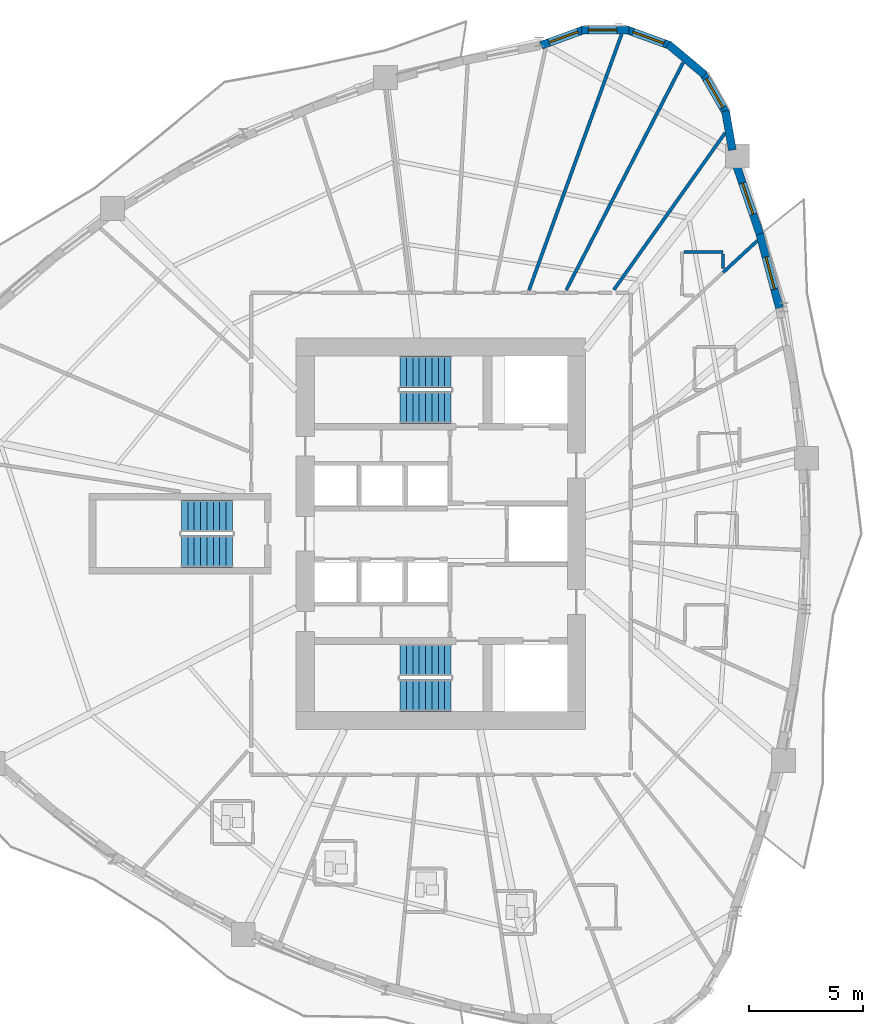
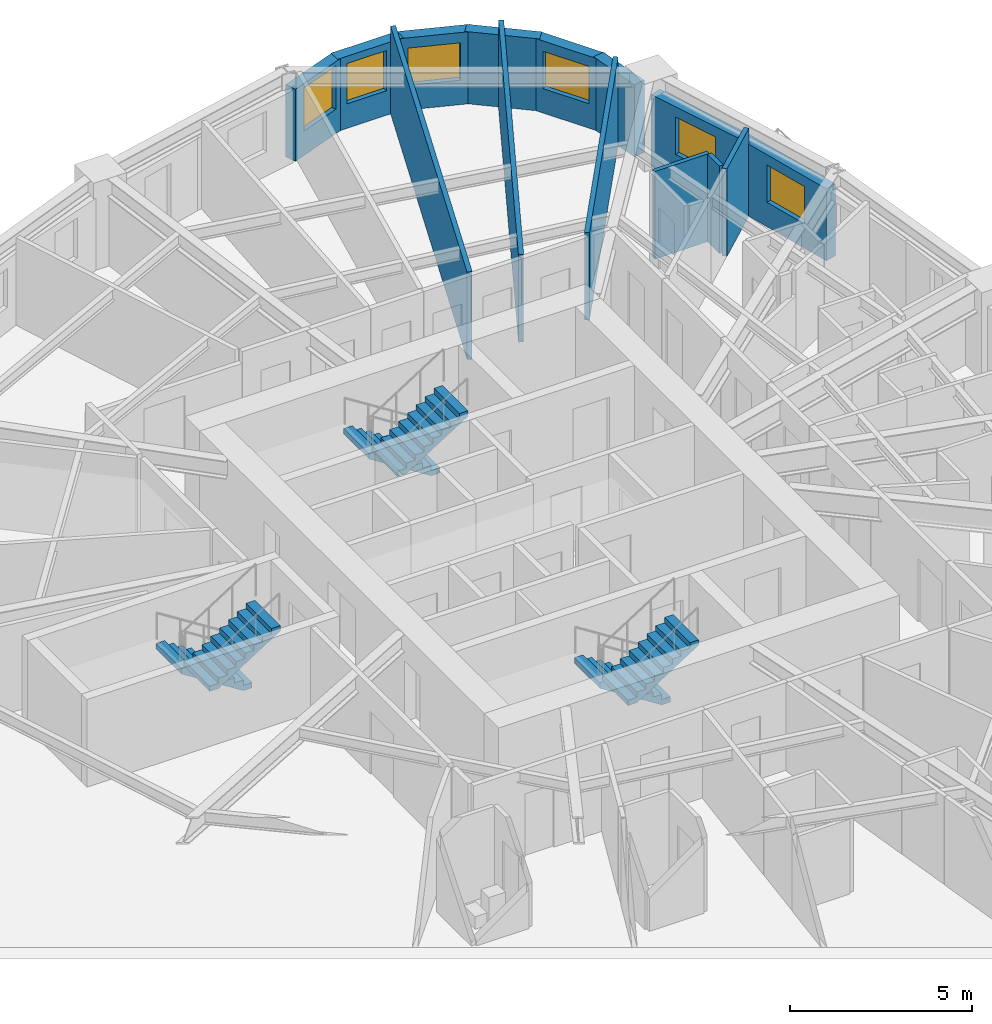
# One storey, part 9 of 14: 14 walls, 6 stair flights, 6 windows, 6 openings, 3 elements without a shape of their own.
"""IFC4 building model written with IfcOpenShell, lengths in metres."""

from ifc_helpers import new_model, si_unit, direction, frame, frame_2d, origin, place, context, subcontext, project, spatial, polyline, rectangle, outline, extrude, source, transform, mapped, material, layer, layer_set, type_object, element, fill, aggregate, save


model = new_model("IFC4")

# Units and contexts
model_context = context("Model", 3, precision=1e-05, world=origin(), true_north=direction((0.0, 1.0)))
body_context = subcontext(model_context, "Body", "Model", "MODEL_VIEW")
ifc_project = project(units=[si_unit("LENGTHUNIT", "METRE"), si_unit("AREAUNIT", "SQUARE_METRE"), si_unit("VOLUMEUNIT", "CUBIC_METRE"), si_unit("PLANEANGLEUNIT", "RADIAN"), si_unit("MASSUNIT", "GRAM", prefix="KILO")], contexts=[model_context])

# Site, building, storey
site_placement = place(None, origin())
site = spatial("IfcSite", under=ifc_project, at=site_placement, CompositionType="ELEMENT")
building_placement = place(site_placement, origin())
building = spatial("IfcBuilding", under=site, at=building_placement, Name="Qafzar Sky-Pleat Residences", CompositionType="ELEMENT")
storey_placement = place(building_placement, frame((0.0, 0.0, 23.800048828125)))
storey = spatial("IfcBuildingStorey", under=building, at=storey_placement, Name="L06", CompositionType="ELEMENT", Elevation=23.800048828125)

# Walls
ifc_material_1 = material(Name="Acoustic gypsum plasterboard partition", Category="gypsum")
ifc_layer_1 = layer(ifc_material_1, 0.14501953125)
ifc_layer_set_1 = layer_set([ifc_layer_1], Name="Acoustic gypsum plasterboard partition")
wall_type_1 = type_object("IfcWallType", Name="PART-UNIT-145", PredefinedType="PARTITIONING", material=ifc_layer_set_1)
wall_1_placement = place(storey_placement, frame((34.218505859375, 36.692138671875, 0.0), z_axis=(0.0, 0.0, 1.0), x_axis=(0.340186046968, 0.940358151689, 0.0)))
element("IfcWall", 1, at=wall_1_placement, inside=storey, type_object=wall_type_1, Name="L06 Partition Wall PART-L06-PW-036", PredefinedType="PARTITIONING", context=body_context, shape_type="SweptSolid", body=[
    extrude(rectangle(XDim=11.951416015625, YDim=0.14501953125, at=frame_2d((5.9755859375, 0.0))), origin(), (0.0, 0.0, 1.0), 2.93505859375),
])
wall_2_placement = place(storey_placement, frame((35.851806640625, 36.7001953125, 0.0), z_axis=(0.0, 0.0, 1.0), x_axis=(0.457258091214, 0.889334041865, 0.0)))
element("IfcWall", 2, at=wall_2_placement, inside=storey, type_object=wall_type_1, Name="L06 Partition Wall PART-L06-PW-037", PredefinedType="PARTITIONING", context=body_context, shape_type="SweptSolid", body=[
    extrude(rectangle(XDim=11.226806640625, YDim=0.14501953125, at=frame_2d((5.61328125, 0.0))), origin(), (0.0, 0.0, 1.0), 2.93505859375),
])
wall_3_placement = place(storey_placement, frame((37.943115234375, 36.70849609375, 0.0), z_axis=(0.0, 0.0, 1.0), x_axis=(0.578429476704, 0.81573239514, 0.0)))
element("IfcWall", 3, at=wall_3_placement, inside=storey, type_object=wall_type_1, Name="L06 Partition Wall PART-L06-PW-043", PredefinedType="PARTITIONING", context=body_context, shape_type="SweptSolid", body=[
    extrude(rectangle(XDim=8.446533203125, YDim=0.14501953125, at=frame_2d((4.22314453125, 0.0))), origin(), (0.0, 0.0, 1.0), 2.93505859375),
])
wall_4_placement = place(storey_placement, frame((42.742919921875, 37.47705078125, 0.0), z_axis=(0.0, 0.0, 1.0), x_axis=(0.73374741774, 0.679422347999, 0.0)))
element("IfcWall", 4, at=wall_4_placement, inside=storey, type_object=wall_type_1, Name="L06 Partition Wall PART-L06-PW-066", PredefinedType="PARTITIONING", context=body_context, shape_type="SweptSolid", body=[
    extrude(rectangle(XDim=2.040283203125, YDim=0.14501953125, at=frame_2d((1.02001953125, 0.0))), origin(), (0.0, 0.0, 1.0), 2.93505859375),
])
ifc_material_2 = material(Name="Moisture-resistant gypsum partition", Category="gypsum")
ifc_layer_2 = layer(ifc_material_2, 0.1298828125)
ifc_layer_set_2 = layer_set([ifc_layer_2], Name="Moisture-resistant gypsum partition")
wall_type_2 = type_object("IfcWallType", Name="PART-WET-130", PredefinedType="PARTITIONING", material=ifc_layer_set_2)
wall_5_placement = place(storey_placement, frame((41.01611328125, 38.367919921875, 0.0), z_axis=(0.0, 0.0, 1.0), x_axis=(1.0, 0.0, 0.0)))
element("IfcWall", 5, at=wall_5_placement, inside=storey, type_object=wall_type_2, Name="L06 Partition Wall PART-L06-PW-072", PredefinedType="PARTITIONING", context=body_context, shape_type="SweptSolid", body=[
    extrude(rectangle(XDim=1.726806640625, YDim=0.1298828125, at=frame_2d((0.86328125, 0.0))), origin(), (0.0, 0.0, 1.0), 2.93505859375),
])
wall_6_placement = place(storey_placement, frame((42.742919921875, 37.64404296875, 0.0), z_axis=(0.0, 0.0, 1.0), x_axis=(0.0, 1.0, 0.0)))
element("IfcWall", 6, at=wall_6_placement, inside=storey, type_object=wall_type_2, Name="L06 Partition Wall PART-L06-PW-097", PredefinedType="PARTITIONING", context=body_context, shape_type="SweptSolid", body=[
    extrude(rectangle(XDim=0.65087890625, YDim=0.1298828125, at=frame_2d((0.325439453125, 0.0))), origin(), (0.0, 0.0, 1.0), 2.93505859375),
])

# Wall, opening, window
ifc_material_3 = material(Name="Precast concrete C40/50 with honed Riyadh limestone", Category="concrete")
ifc_layer_3 = layer(ifc_material_3, 0.35009765625)
ifc_layer_set_3 = layer_set([ifc_layer_3], Name="Precast concrete C40/50 with honed Riyadh limestone")
wall_type_3 = type_object("IfcWallType", Name="WALL-EXT-350", PredefinedType="SOLIDWALL", material=ifc_layer_set_3)
wall_7_placement = place(storey_placement, frame((45.21435546875, 35.92236328125, 0.0), z_axis=(0.0, 0.0, 1.0), x_axis=(-0.257081073508, 0.966389839373, 0.0)))
wall_7 = element("IfcWall", 7, at=wall_7_placement, inside=storey, type_object=wall_type_3, Name="L06 Limestone Facade Wall 31", PredefinedType="SOLIDWALL", context=body_context, shape_type="SweptSolid", body=[
    extrude(rectangle(XDim=3.44921875, YDim=0.35009765625, at=frame_2d((1.724609375, 0.0))), origin(), (0.0, 0.0, 1.0), 2.4150390625),
])
opening_1_placement = place(wall_7_placement, frame((0.856689453125, 0.0, 0.820068359375)))
opening_1 = element("IfcOpeningElement", 8, at=opening_1_placement, cuts=wall_7, Name="Opening WN-15", PredefinedType="OPENING", context=body_context, shape_type="SweptSolid", body=[
    extrude(rectangle(XDim=1.449951171875, YDim=1.25, at=frame_2d((0.72509765625, 0.625))), frame((0.0, 0.18505859375, 0.0), z_axis=(0.0, -1.0, 0.0), x_axis=(1.0, 0.0, 0.0)), (0.0, 0.0, 1.0), 0.3701171875),
])
ifc_material_4 = material(Name="Solar-control low-E glass in bronze aluminium frame", Category="glass")
window_type_1 = type_object("IfcWindowType", Name="WIN-15", PartitioningType="SINGLE_PANEL", PredefinedType="WINDOW", material=ifc_material_4)
shared_shape_1 = source(origin(), body_context, "Body", "SweptSolid", [
    extrude(rectangle(XDim=1.449951171875, YDim=1.25, at=frame_2d((0.72509765625, 0.625))), frame((0.0, 0.030029296875, 0.0), z_axis=(0.0, -1.0, 0.0), x_axis=(1.0, 0.0, 0.0)), (0.0, 0.0, 1.0), 0.06005859375),
])
window_1_placement = place(opening_1_placement, origin())
window_1 = element("IfcWindow", 9, at=window_1_placement, inside=storey, type_object=window_type_1, Name="L06 Punched Facade Window 31", OverallHeight=1.25, OverallWidth=1.449951171875, PartitioningType="SINGLE_PANEL", PredefinedType="WINDOW", context=body_context, shape_type="MappedRepresentation", body=[
    mapped(shared_shape_1, transform((0.0, 0.0, 0.0), x_axis=(1.0, 0.0, 0.0), y_axis=(0.0, 1.0, 0.0), z_axis=(0.0, 0.0, 1.0), scale=1.0)),
])
fill(opening_1, window_1)

wall_8_placement = place(storey_placement, frame((44.353271484375, 39.17138671875, 0.0), z_axis=(0.0, 0.0, 1.0), x_axis=(-0.323604310653, 0.946192501623, 0.0)))
wall_8 = element("IfcWall", 10, at=wall_8_placement, inside=storey, type_object=wall_type_3, Name="L06 Limestone Facade Wall 32", PredefinedType="SOLIDWALL", context=body_context, shape_type="SweptSolid", body=[
    extrude(rectangle(XDim=3.24267578125, YDim=0.35009765625, at=frame_2d((1.621337890625, 0.0))), origin(), (0.0, 0.0, 1.0), 2.4150390625),
])
opening_2_placement = place(wall_8_placement, frame((0.9013671875, 0.0, 0.820068359375)))
opening_2 = element("IfcOpeningElement", 11, at=opening_2_placement, cuts=wall_8, Name="Opening WN-15", PredefinedType="OPENING", context=body_context, shape_type="SweptSolid", body=[
    extrude(rectangle(XDim=1.449951171875, YDim=1.25, at=frame_2d((0.72509765625, 0.625))), frame((0.0, 0.18505859375, 0.0), z_axis=(0.0, -1.0, 0.0), x_axis=(1.0, 0.0, 0.0)), (0.0, 0.0, 1.0), 0.3701171875),
])
window_2_placement = place(opening_2_placement, origin())
window_2 = element("IfcWindow", 12, at=window_2_placement, inside=storey, type_object=window_type_1, Name="L06 Punched Facade Window 32", OverallHeight=1.25, OverallWidth=1.449951171875, PartitioningType="SINGLE_PANEL", PredefinedType="WINDOW", context=body_context, shape_type="MappedRepresentation", body=[
    mapped(shared_shape_1, transform((0.0, 0.0, 0.0), x_axis=(1.0, 0.0, 0.0), y_axis=(0.0, 1.0, 0.0), z_axis=(0.0, 0.0, 1.0), scale=1.0)),
])
fill(opening_2, window_2)

# Wall
wall_9_placement = place(storey_placement, frame((43.148193359375, 42.84521484375, 0.0), z_axis=(0.0, 0.0, 1.0), x_axis=(-0.173745591742, 0.984790571315, 0.0)))
element("IfcWall", 13, at=wall_9_placement, inside=storey, type_object=wall_type_3, Name="L06 Limestone Facade Wall 33", PredefinedType="SOLIDWALL", context=body_context, shape_type="SweptSolid", body=[
    extrude(rectangle(XDim=1.752197265625, YDim=0.35009765625, at=frame_2d((0.8759765625, 0.0))), origin(), (0.0, 0.0, 1.0), 2.4150390625),
])

# Wall, opening, window
wall_10_placement = place(storey_placement, frame((42.89013671875, 44.443359375, 0.0), z_axis=(0.0, 0.0, 1.0), x_axis=(-0.499995423472, 0.866028046028, 0.0)))
wall_10 = element("IfcWall", 14, at=wall_10_placement, inside=storey, type_object=wall_type_3, Name="L06 Limestone Facade Wall 34", PredefinedType="SOLIDWALL", context=body_context, shape_type="SweptSolid", body=[
    extrude(rectangle(XDim=2.09033203125, YDim=0.35009765625, at=frame_2d((1.045166015625, 0.0))), origin(), (0.0, 0.0, 1.0), 2.4150390625),
])
opening_3_placement = place(wall_10_placement, frame((0.320068359375, 0.0, 0.820068359375)))
opening_3 = element("IfcOpeningElement", 15, at=opening_3_placement, cuts=wall_10, Name="Opening WN-15", PredefinedType="OPENING", context=body_context, shape_type="SweptSolid", body=[
    extrude(rectangle(XDim=1.449951171875, YDim=1.25, at=frame_2d((0.72509765625, 0.625))), frame((0.0, 0.18505859375, 0.0), z_axis=(0.0, -1.0, 0.0), x_axis=(1.0, 0.0, 0.0)), (0.0, 0.0, 1.0), 0.3701171875),
])
window_3_placement = place(opening_3_placement, origin())
window_3 = element("IfcWindow", 16, at=window_3_placement, inside=storey, type_object=window_type_1, Name="L06 Punched Facade Window 34", OverallHeight=1.25, OverallWidth=1.449951171875, PartitioningType="SINGLE_PANEL", PredefinedType="WINDOW", context=body_context, shape_type="MappedRepresentation", body=[
    mapped(shared_shape_1, transform((0.0, 0.0, 0.0), x_axis=(1.0, 0.0, 0.0), y_axis=(0.0, 1.0, 0.0), z_axis=(0.0, 0.0, 1.0), scale=1.0)),
])
fill(opening_3, window_3)

# Wall
wall_11_placement = place(storey_placement, frame((41.93212890625, 46.149658203125, 0.0), z_axis=(0.0, 0.0, 1.0), x_axis=(-0.766024572719, 0.642811289563, 0.0)))
element("IfcWall", 17, at=wall_11_placement, inside=storey, type_object=wall_type_3, Name="L06 Limestone Facade Wall 35", PredefinedType="SOLIDWALL", context=body_context, shape_type="SweptSolid", body=[
    extrude(rectangle(XDim=2.09033203125, YDim=0.35009765625, at=frame_2d((1.045166015625, 0.0))), origin(), (0.0, 0.0, 1.0), 2.4150390625),
])

# Wall, opening, window
wall_12_placement = place(storey_placement, frame((40.448486328125, 47.425537109375, 0.0), z_axis=(0.0, 0.0, 1.0), x_axis=(-0.939711556618, 0.341968113072, 0.0)))
wall_12 = element("IfcWall", 18, at=wall_12_placement, inside=storey, type_object=wall_type_3, Name="L06 Limestone Facade Wall 36", PredefinedType="SOLIDWALL", context=body_context, shape_type="SweptSolid", body=[
    extrude(rectangle(XDim=2.09033203125, YDim=0.35009765625, at=frame_2d((1.045166015625, 0.0))), origin(), (0.0, 0.0, 1.0), 2.4150390625),
])
opening_4_placement = place(wall_12_placement, frame((0.320068359375, 0.0, 0.820068359375)))
opening_4 = element("IfcOpeningElement", 19, at=opening_4_placement, cuts=wall_12, Name="Opening WN-15", PredefinedType="OPENING", context=body_context, shape_type="SweptSolid", body=[
    extrude(rectangle(XDim=1.449951171875, YDim=1.25, at=frame_2d((0.72509765625, 0.625))), frame((0.0, 0.18505859375, 0.0), z_axis=(0.0, -1.0, 0.0), x_axis=(1.0, 0.0, 0.0)), (0.0, 0.0, 1.0), 0.3701171875),
])
window_4_placement = place(opening_4_placement, origin())
window_4 = element("IfcWindow", 20, at=window_4_placement, inside=storey, type_object=window_type_1, Name="L06 Punched Facade Window 36", OverallHeight=1.25, OverallWidth=1.449951171875, PartitioningType="SINGLE_PANEL", PredefinedType="WINDOW", context=body_context, shape_type="MappedRepresentation", body=[
    mapped(shared_shape_1, transform((0.0, 0.0, 0.0), x_axis=(1.0, 0.0, 0.0), y_axis=(0.0, 1.0, 0.0), z_axis=(0.0, 0.0, 1.0), scale=1.0)),
])
fill(opening_4, window_4)

wall_13_placement = place(storey_placement, frame((38.61767578125, 48.116943359375, 0.0), z_axis=(0.0, 0.0, 1.0), x_axis=(-1.0, 0.0, 0.0)))
wall_13 = element("IfcWall", 21, at=wall_13_placement, inside=storey, type_object=wall_type_3, Name="L06 Limestone Facade Wall 37", PredefinedType="SOLIDWALL", context=body_context, shape_type="SweptSolid", body=[
    extrude(rectangle(XDim=2.09033203125, YDim=0.35009765625, at=frame_2d((1.045166015625, 0.0))), origin(), (0.0, 0.0, 1.0), 2.4150390625),
])
opening_5_placement = place(wall_13_placement, frame((0.543212890625, 0.0, 0.820068359375)))
opening_5 = element("IfcOpeningElement", 22, at=opening_5_placement, cuts=wall_13, Name="Opening WN-11", PredefinedType="OPENING", context=body_context, shape_type="SweptSolid", body=[
    extrude(rectangle(XDim=1.25, YDim=1.35009765625, at=frame_2d((0.625, 0.675048828125))), frame((0.0, 0.18505859375, 0.0), z_axis=(0.0, -1.0, 0.0), x_axis=(1.0, 0.0, 0.0)), (0.0, 0.0, 1.0), 0.3701171875),
])
window_type_2 = type_object("IfcWindowType", Name="WIN-11", PartitioningType="SINGLE_PANEL", PredefinedType="WINDOW", material=ifc_material_4)
shared_shape_2 = source(origin(), body_context, "Body", "SweptSolid", [
    extrude(rectangle(XDim=1.25, YDim=1.35009765625, at=frame_2d((0.625, 0.675048828125))), frame((0.0, 0.030029296875, 0.0), z_axis=(0.0, -1.0, 0.0), x_axis=(1.0, 0.0, 0.0)), (0.0, 0.0, 1.0), 0.06005859375),
])
window_5_placement = place(opening_5_placement, origin())
window_5 = element("IfcWindow", 23, at=window_5_placement, inside=storey, type_object=window_type_2, Name="L06 Punched Facade Window 37", OverallHeight=1.35009765625, OverallWidth=1.25, PartitioningType="SINGLE_PANEL", PredefinedType="WINDOW", context=body_context, shape_type="MappedRepresentation", body=[
    mapped(shared_shape_2, transform((0.0, 0.0, 0.0), x_axis=(1.0, 0.0, 0.0), y_axis=(0.0, 1.0, 0.0), z_axis=(0.0, 0.0, 1.0), scale=1.0)),
])
fill(opening_5, window_5)

wall_14_placement = place(storey_placement, frame((36.660888671875, 48.140380859375, 0.0), z_axis=(0.0, 0.0, 1.0), x_axis=(-0.939691662178, -0.342022777067, 0.0)))
wall_14 = element("IfcWall", 24, at=wall_14_placement, inside=storey, type_object=wall_type_3, Name="L06 Limestone Facade Wall 38", PredefinedType="SOLIDWALL", context=body_context, shape_type="SweptSolid", body=[
    extrude(rectangle(XDim=2.0322265625, YDim=0.35009765625, at=frame_2d((1.01611328125, 0.0))), origin(), (0.0, 0.0, 1.0), 2.4150390625),
])
opening_6_placement = place(wall_14_placement, frame((0.302490234375, 0.0, 0.820068359375)))
opening_6 = element("IfcOpeningElement", 25, at=opening_6_placement, cuts=wall_14, Name="Opening WN-04", PredefinedType="OPENING", context=body_context, shape_type="SweptSolid", body=[
    extrude(rectangle(XDim=1.35009765625, YDim=1.449951171875, at=frame_2d((0.675048828125, 0.72509765625))), frame((0.0, 0.18505859375, 0.0), z_axis=(0.0, -1.0, 0.0), x_axis=(1.0, 0.0, 0.0)), (0.0, 0.0, 1.0), 0.3701171875),
])
window_type_3 = type_object("IfcWindowType", Name="WIN-04", PartitioningType="SINGLE_PANEL", PredefinedType="WINDOW", material=ifc_material_4)
shared_shape_3 = source(origin(), body_context, "Body", "SweptSolid", [
    extrude(rectangle(XDim=1.35009765625, YDim=1.449951171875, at=frame_2d((0.675048828125, 0.72509765625))), frame((0.0, 0.030029296875, 0.0), z_axis=(0.0, -1.0, 0.0), x_axis=(1.0, 0.0, 0.0)), (0.0, 0.0, 1.0), 0.06005859375),
])
window_6_placement = place(opening_6_placement, origin())
window_6 = element("IfcWindow", 26, at=window_6_placement, inside=storey, type_object=window_type_3, Name="L06 Punched Facade Window 38", OverallHeight=1.449951171875, OverallWidth=1.35009765625, PartitioningType="SINGLE_PANEL", PredefinedType="WINDOW", context=body_context, shape_type="MappedRepresentation", body=[
    mapped(shared_shape_3, transform((0.0, 0.0, 0.0), x_axis=(1.0, 0.0, 0.0), y_axis=(0.0, 1.0, 0.0), z_axis=(0.0, 0.0, 1.0), scale=1.0)),
])
fill(opening_6, window_6)

# Stair, stair flights
ifc_material_5 = material(Name="Concrete C40/50", Category="concrete")
stair_type = type_object("IfcStairType", Name="STAIR-H320", PredefinedType="HALF_TURN_STAIR", material=ifc_material_5)
stair_1_placement = place(storey_placement, origin())
stair_1 = element("IfcStair", 27, at=stair_1_placement, inside=storey, type_object=stair_type, Name="L06 Protected Exit Stair ST1", PredefinedType="HALF_TURN_STAIR")
stair_flight_type = type_object("IfcStairFlightType", Name="FLIGHT-H320", PredefinedType="STRAIGHT", material=ifc_material_5)
shared_shape_4 = source(origin(), body_context, "Body", "SweptSolid", [
    extrude(outline(polyline([(0.0, 0.0), (0.0, 0.177734375), (0.280029296875, 0.177734375), (0.280029296875, 0.35546875), (0.56005859375, 0.35546875), (0.56005859375, 0.533447265625), (0.840087890625, 0.533447265625), (0.840087890625, 0.711181640625), (1.1201171875, 0.711181640625), (1.1201171875, 0.888916015625), (1.39990234375, 0.888916015625), (1.39990234375, 1.066650390625), (1.679931640625, 1.066650390625), (1.679931640625, 1.244384765625), (1.9599609375, 1.244384765625), (1.9599609375, 1.422119140625), (2.239990234375, 1.422119140625), (2.239990234375, 1.60009765625), (2.239990234375, 1.24462890625), (0.27978515625, 0.0), (0.0, 0.0)])), frame((0.0, 0.699951171875, 0.0), z_axis=(0.0, -1.0, 0.0), x_axis=(1.0, 0.0, 0.0)), (0.0, 0.0, 1.0), 1.39990234375),
])
stair_flight_1_placement = place(storey_placement, frame((30.800048828125, 20.449951171875, 0.0), z_axis=(0.0, 0.0, 1.0), x_axis=(-1.0, 0.0, 0.0)))
stair_flight_1 = element("IfcStairFlight", 28, at=stair_flight_1_placement, type_object=stair_flight_type, Name="ST1 flight 1", NumberOfRisers=9, NumberOfTreads=8, PredefinedType="STRAIGHT", RiserHeight=0.177777778, TreadLength=0.28, context=body_context, shape_type="MappedRepresentation", body=[
    mapped(shared_shape_4, transform((0.0, 0.0, 0.0), x_axis=(1.0, 0.0, 0.0), y_axis=(0.0, 1.0, 0.0), z_axis=(0.0, 0.0, 1.0), scale=1.0)),
])
stair_flight_2_placement = place(storey_placement, frame((28.56005859375, 18.89990234375, 1.599853515625), z_axis=(0.0, 0.0, 1.0), x_axis=(1.0, 0.0, 0.0)))
stair_flight_2 = element("IfcStairFlight", 29, at=stair_flight_2_placement, type_object=stair_flight_type, Name="ST1 flight 2", NumberOfRisers=9, NumberOfTreads=8, PredefinedType="STRAIGHT", RiserHeight=0.177777778, TreadLength=0.28, context=body_context, shape_type="MappedRepresentation", body=[
    mapped(shared_shape_4, transform((0.0, 0.0, 0.0), x_axis=(1.0, 0.0, 0.0), y_axis=(0.0, 1.0, 0.0), z_axis=(0.0, 0.0, 1.0), scale=1.0)),
])
aggregate(stair_1, [stair_flight_1, stair_flight_2])

stair_2_placement = place(storey_placement, origin())
stair_2 = element("IfcStair", 30, at=stair_2_placement, inside=storey, type_object=stair_type, Name="L06 Protected Exit Stair ST2", PredefinedType="HALF_TURN_STAIR")
stair_flight_3_placement = place(storey_placement, frame((30.800048828125, 33.10009765625, 0.0), z_axis=(0.0, 0.0, 1.0), x_axis=(-1.0, 0.0, 0.0)))
stair_flight_3 = element("IfcStairFlight", 31, at=stair_flight_3_placement, type_object=stair_flight_type, Name="ST2 flight 1", NumberOfRisers=9, NumberOfTreads=8, PredefinedType="STRAIGHT", RiserHeight=0.177777778, TreadLength=0.28, context=body_context, shape_type="MappedRepresentation", body=[
    mapped(shared_shape_4, transform((0.0, 0.0, 0.0), x_axis=(1.0, 0.0, 0.0), y_axis=(0.0, 1.0, 0.0), z_axis=(0.0, 0.0, 1.0), scale=1.0)),
])
stair_flight_4_placement = place(storey_placement, frame((28.56005859375, 31.550048828125, 1.599853515625), z_axis=(0.0, 0.0, 1.0), x_axis=(1.0, 0.0, 0.0)))
stair_flight_4 = element("IfcStairFlight", 32, at=stair_flight_4_placement, type_object=stair_flight_type, Name="ST2 flight 2", NumberOfRisers=9, NumberOfTreads=8, PredefinedType="STRAIGHT", RiserHeight=0.177777778, TreadLength=0.28, context=body_context, shape_type="MappedRepresentation", body=[
    mapped(shared_shape_4, transform((0.0, 0.0, 0.0), x_axis=(1.0, 0.0, 0.0), y_axis=(0.0, 1.0, 0.0), z_axis=(0.0, 0.0, 1.0), scale=1.0)),
])
aggregate(stair_2, [stair_flight_3, stair_flight_4])

stair_3_placement = place(storey_placement, origin())
stair_3 = element("IfcStair", 33, at=stair_3_placement, inside=storey, type_object=stair_type, Name="L06 Protected Exit Stair ST3", PredefinedType="HALF_TURN_STAIR")
stair_flight_5_placement = place(storey_placement, frame((21.199951171875, 26.77490234375, 0.0), z_axis=(0.0, 0.0, 1.0), x_axis=(-1.0, 0.0, 0.0)))
stair_flight_5 = element("IfcStairFlight", 34, at=stair_flight_5_placement, type_object=stair_flight_type, Name="ST3 flight 1", NumberOfRisers=9, NumberOfTreads=8, PredefinedType="STRAIGHT", RiserHeight=0.177777778, TreadLength=0.28, context=body_context, shape_type="MappedRepresentation", body=[
    mapped(shared_shape_4, transform((0.0, 0.0, 0.0), x_axis=(1.0, 0.0, 0.0), y_axis=(0.0, 1.0, 0.0), z_axis=(0.0, 0.0, 1.0), scale=1.0)),
])
stair_flight_6_placement = place(storey_placement, frame((18.9599609375, 25.22509765625, 1.599853515625), z_axis=(0.0, 0.0, 1.0), x_axis=(1.0, 0.0, 0.0)))
stair_flight_6 = element("IfcStairFlight", 35, at=stair_flight_6_placement, type_object=stair_flight_type, Name="ST3 flight 2", NumberOfRisers=9, NumberOfTreads=8, PredefinedType="STRAIGHT", RiserHeight=0.177777778, TreadLength=0.28, context=body_context, shape_type="MappedRepresentation", body=[
    mapped(shared_shape_4, transform((0.0, 0.0, 0.0), x_axis=(1.0, 0.0, 0.0), y_axis=(0.0, 1.0, 0.0), z_axis=(0.0, 0.0, 1.0), scale=1.0)),
])
aggregate(stair_3, [stair_flight_5, stair_flight_6])

save(model, "model.ifc")
